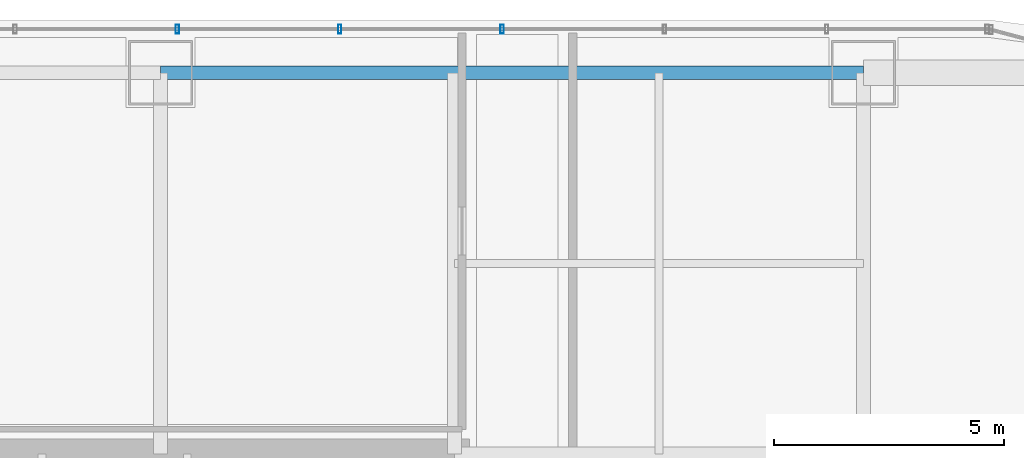
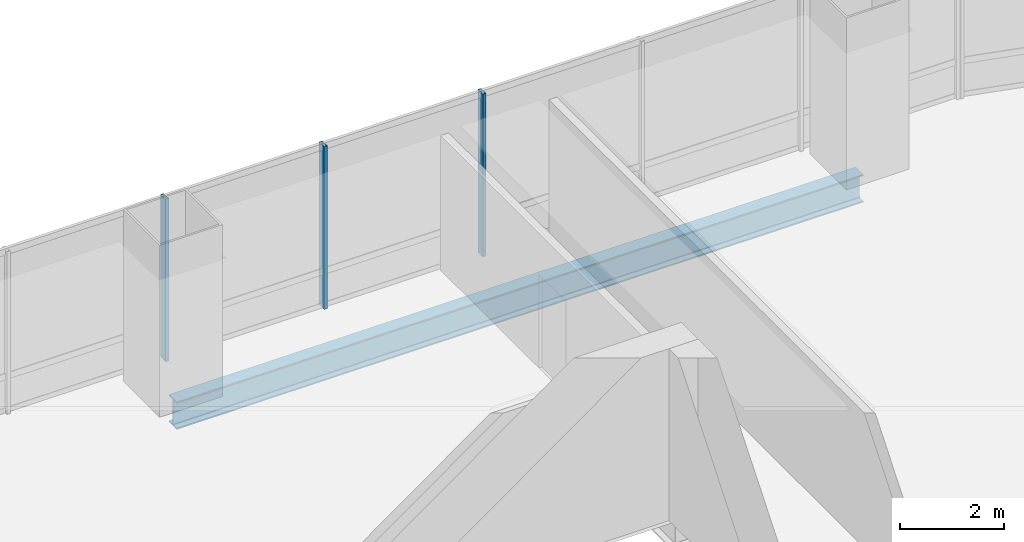
# One storey, part 24 of 36: 3 members, 1 beam, 1 element without a shape of its own.
"""IFC4 building model written with IfcOpenShell, lengths in metres."""

from ifc_helpers import new_model, si_unit, direction, frame, origin, origin_2d, place, context, subcontext, project, spatial, hollow_rectangle, i_section, extrude, material, material_profile, profile_set, type_object, element, aggregate, save


model = new_model("IFC4")

# Units and contexts
model_context = context("Model", 3, precision=1e-05, world=origin(), true_north=direction((0.0, 1.0)))
body_context = subcontext(model_context, "Body", "Model", "MODEL_VIEW")
ifc_project = project(units=[si_unit("LENGTHUNIT", "METRE"), si_unit("AREAUNIT", "SQUARE_METRE"), si_unit("VOLUMEUNIT", "CUBIC_METRE"), si_unit("PLANEANGLEUNIT", "RADIAN"), si_unit("MASSUNIT", "GRAM", prefix="KILO")], contexts=[model_context])

# Site, building, storey
site_placement = place(None, origin())
site = spatial("IfcSite", under=ifc_project, at=site_placement, CompositionType="ELEMENT")
building_placement = place(site_placement, origin())
building = spatial("IfcBuilding", under=site, at=building_placement, Name="Punatoya Terracotta Tower", CompositionType="ELEMENT")
storey_placement = place(building_placement, frame((0.0, 0.0, 212.699951171875)))
storey = spatial("IfcBuildingStorey", under=building, at=storey_placement, Name="L50", CompositionType="ELEMENT", Elevation=212.699951171875)

# Beam
ifc_material_1 = material(Name="Steel S355", Category="steel")
ifc_material_profile_1 = material_profile(ifc_material_1, i_section(OverallWidth=0.300048828125, OverallDepth=0.64990234375, WebThickness=0.01611328125, FlangeThickness=0.031005859375, FilletRadius=0.01806640625, at=origin_2d()))
ifc_profile_set_1 = profile_set([ifc_material_profile_1], Name="Steel S355")
beam_type = type_object("IfcBeamType", Name="BM-PRI-650", PredefinedType="BEAM", material=ifc_profile_set_1)
beam_placement = place(storey_placement, frame((3.800048828125, 17.5, -0.544921875), z_axis=(1.0, 0.0, 0.0), x_axis=(0.0, 1.0, 0.0)))
element("IfcBeam", 1, at=beam_placement, inside=storey, type_object=beam_type, Name="BM-L50-RG-N3", PredefinedType="BEAM", context=body_context, shape_type="SweptSolid", body=[
    extrude(i_section(OverallWidth=0.300048828125, OverallDepth=0.64990234375, WebThickness=0.01611328125, FlangeThickness=0.031005859375, FilletRadius=0.01806640625, at=origin_2d()), origin(), (0.0, 0.0, 1.0), 15.300048828125),
])

# Curtain wall, members
ifc_material_2 = material(Name="Aluminium 6063-T6 + Double Low-E Glass", Category="aluminium")
curtain_wall_type = type_object("IfcCurtainWallType", Name="CW-M2", PredefinedType="NOTDEFINED", material=ifc_material_2)
curtain_wall_placement = place(storey_placement, origin())
curtain_wall = element("IfcCurtainWall", 2, at=curtain_wall_placement, inside=storey, type_object=curtain_wall_type, Name="L50 Curtain Wall CW-L50-N09-1", PredefinedType="NOTDEFINED")
ifc_material_3 = material(Name="Aluminium 6063-T6", Category="aluminium")
ifc_material_profile_2 = material_profile(ifc_material_3, hollow_rectangle(XDim=0.072021484375, YDim=0.195068359375, WallThickness=0.00439453125, at=origin_2d()))
ifc_profile_set_2 = profile_set([ifc_material_profile_2], Name="Aluminium 6063-T6")
member_type = type_object("IfcMemberType", Name="CW-MUL-M2", PredefinedType="MULLION", material=ifc_profile_set_2)
member_1_placement = place(storey_placement, frame((11.235107421875, 18.449951171875, 0.0), z_axis=(0.0, 0.0, 1.0), x_axis=(1.0, 0.0, 0.0)))
member_1 = element("IfcMember", 3, at=member_1_placement, type_object=member_type, Name="CW-L50-N09-1 Mullion 03", PredefinedType="MULLION", context=body_context, shape_type="SweptSolid", body=[
    extrude(hollow_rectangle(XDim=0.072021484375, YDim=0.195068359375, WallThickness=0.00439453125, at=origin_2d()), origin(), (0.0, 0.0, 1.0), 3.830078125),
])
member_2_placement = place(storey_placement, frame((7.700927734375, 18.449951171875, 0.0), z_axis=(0.0, 0.0, 1.0), x_axis=(1.0, 0.0, 0.0)))
member_2 = element("IfcMember", 4, at=member_2_placement, type_object=member_type, Name="CW-L50-N09-1 Mullion 04", PredefinedType="MULLION", context=body_context, shape_type="SweptSolid", body=[
    extrude(hollow_rectangle(XDim=0.072021484375, YDim=0.195068359375, WallThickness=0.00439453125, at=origin_2d()), origin(), (0.0, 0.0, 1.0), 3.830078125),
])
member_3_placement = place(storey_placement, frame((4.1669921875, 18.449951171875, 0.0), z_axis=(0.0, 0.0, 1.0), x_axis=(1.0, 0.0, 0.0)))
member_3 = element("IfcMember", 5, at=member_3_placement, type_object=member_type, Name="CW-L50-N09-1 Mullion 05", PredefinedType="MULLION", context=body_context, shape_type="SweptSolid", body=[
    extrude(hollow_rectangle(XDim=0.072021484375, YDim=0.195068359375, WallThickness=0.00439453125, at=origin_2d()), origin(), (0.0, 0.0, 1.0), 3.830078125),
])
aggregate(curtain_wall, [member_1, member_2, member_3])

save(model, "model.ifc")
